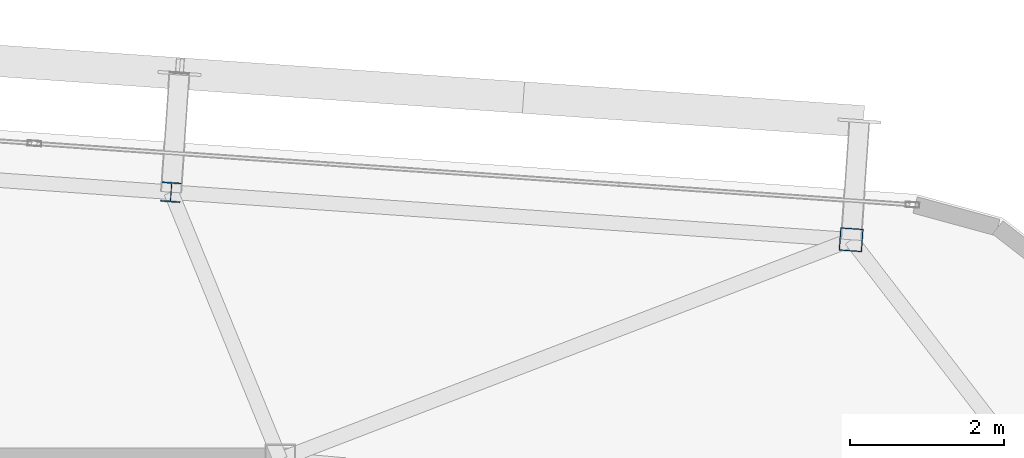
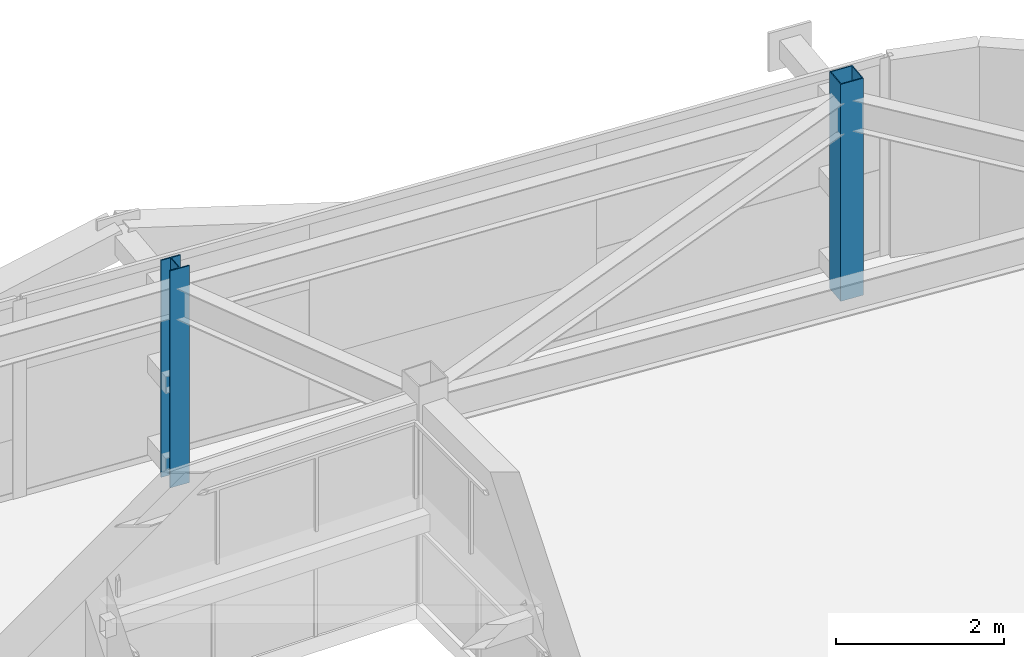
# One storey, part 5 of 39: 2 columns.
"""IFC4 building model written with IfcOpenShell, lengths in metres."""

import ifcopenshell
import ifcopenshell.guid

model = None  # the IFC model being written
_history = None  # IfcOwnerHistory: only IFC2X3 demands one
_inside = {}  # id of a spatial element -> (the spatial element, [elements in it])
_under = {}  # id of a project, library or spatial element -> (it, [spatial elements below it])
_declared = {}  # id of a project -> (the project, [libraries it declares])
_typed = {}  # id of a type object -> (the type object, [elements of that type])
_made_of = {}  # id of a material, layer set ... -> (it, [elements and type objects made of it])


def new_model(schema):
    """Start an empty IFC model of exactly this schema.

    Asked for "IFC4X3", IfcOpenShell would pick the latest addendum, in which some entities
    have other attributes; the version numbers below select the first issue.
    IFC2X3 requires an IfcOwnerHistory on every rooted entity: one is made here for all.
    """
    global model, _history
    if schema == "IFC4X3":
        model = ifcopenshell.file(schema_version=(4, 3, 0, 0))
    else:
        model = ifcopenshell.file(schema=schema)
    _inside.clear()
    _under.clear()
    _declared.clear()
    _typed.clear()
    _made_of.clear()
    _history = None
    if model.schema == "IFC2X3":
        org = make("IfcOrganization", Name="unknown")
        user = make(
            "IfcPersonAndOrganization",
            ThePerson=make("IfcPerson", FamilyName="unknown"),
            TheOrganization=org,
        )
        app = make(
            "IfcApplication",
            ApplicationDeveloper=org,
            Version="unknown",
            ApplicationFullName="unknown",
            ApplicationIdentifier="unknown",
        )
        _history = make(
            "IfcOwnerHistory",
            OwningUser=user,
            OwningApplication=app,
            ChangeAction="ADDED",
            CreationDate=0,
        )
    return model


def make(cls, **values):
    """One entity of the class cls with the attributes given. An attribute that is None is left unset."""
    return model.create_entity(
        cls, **{name: value for name, value in values.items() if value is not None}
    )


def rooted(cls, **values):
    """An entity with a GlobalId (a new one), such as an element, a storey or a relation."""
    return make(cls, GlobalId=ifcopenshell.guid.new(), OwnerHistory=_history, **values)


def si_unit(unit_type, name, prefix=None):
    """IfcSIUnit, for example si_unit("LENGTHUNIT", "METRE", prefix="MILLI")."""
    return make("IfcSIUnit", UnitType=unit_type, Prefix=prefix, Name=name)


def assignment(units):
    """IfcUnitAssignment: the units of a project."""
    return None if units is None else make("IfcUnitAssignment", Units=units)


def point(xyz):
    """IfcCartesianPoint."""
    return None if xyz is None else make("IfcCartesianPoint", Coordinates=xyz)


def direction(xyz):
    """IfcDirection."""
    return None if xyz is None else make("IfcDirection", DirectionRatios=xyz)


def frame(location, z_axis=None, x_axis=None):
    """IfcAxis2Placement3D, a coordinate frame: its origin and axes. An axis left out is left unset."""
    return make(
        "IfcAxis2Placement3D",
        Location=point(location),
        Axis=direction(z_axis),
        RefDirection=direction(x_axis),
    )


def frame_2d(location, x_axis=None):
    """IfcAxis2Placement2D, a coordinate frame in the plane: its origin and x axis."""
    return make(
        "IfcAxis2Placement2D", Location=point(location), RefDirection=direction(x_axis)
    )


def origin():
    """The frame at (0, 0, 0) with its axes left unset."""
    return frame((0.0, 0.0, 0.0))


def origin_2d():
    """The frame at (0, 0) in the plane with its x axis left unset."""
    return frame_2d((0.0, 0.0))


def place(relative_to, where):
    """IfcLocalPlacement: puts the frame where relative to a parent placement (None: the world)."""
    return make(
        "IfcLocalPlacement", PlacementRelTo=relative_to, RelativePlacement=where
    )


def context(
    kind, dimensions, precision=None, world=None, true_north=None, identifier=None
):
    """IfcGeometricRepresentationContext, for example the 3D "Model" context."""
    return make(
        "IfcGeometricRepresentationContext",
        ContextIdentifier=identifier,
        ContextType=kind,
        CoordinateSpaceDimension=dimensions,
        Precision=precision,
        WorldCoordinateSystem=world,
        TrueNorth=true_north,
    )


def subcontext(parent, identifier, kind, view, scale=None):
    """IfcGeometricRepresentationSubContext, for example "Body" below "Model"."""
    return make(
        "IfcGeometricRepresentationSubContext",
        ContextIdentifier=identifier,
        ContextType=kind,
        ParentContext=parent,
        TargetScale=scale,
        TargetView=view,
    )


def project(units=None, contexts=None):
    """IfcProject with its units and contexts."""
    return rooted(
        "IfcProject",
        Name="project",
        RepresentationContexts=contexts,
        UnitsInContext=assignment(units),
    )


def spatial(cls, under=None, at=None, **own):
    """A site, building, storey or space (cls), placed at a placement, below another one or the project."""
    s = rooted(cls, ObjectPlacement=at, **own)
    if under is not None:
        _under.setdefault(under.id(), (under, []))[1].append(s)
    return s


def profile(cls, at=None, kind="AREA", **sizes):
    """A parametric profile (cls). Its sizes go by their IFC names, for example OverallWidth=200.0."""
    return make(cls, ProfileType=kind, Position=at, **sizes)


def hollow_rectangle(**sizes):
    """IfcRectangleHollowProfileDef."""
    return profile("IfcRectangleHollowProfileDef", **sizes)


def i_section(**sizes):
    """IfcIShapeProfileDef."""
    return profile("IfcIShapeProfileDef", **sizes)


def extrude(swept, where, along, depth):
    """IfcExtrudedAreaSolid: the profile swept, set in the frame where, extruded along a direction by depth."""
    return make(
        "IfcExtrudedAreaSolid",
        SweptArea=swept,
        Position=where,
        ExtrudedDirection=direction(along),
        Depth=depth,
    )


def shape(context_of_items, identifier, shape_type, items):
    """IfcShapeRepresentation: the items that make up one representation, for example the "Body"."""
    return make(
        "IfcShapeRepresentation",
        ContextOfItems=context_of_items,
        RepresentationIdentifier=identifier,
        RepresentationType=shape_type,
        Items=items,
    )


def source(mapping_origin, context_of_items, identifier, shape_type, items):
    """IfcRepresentationMap: a shape defined once, which mapped items show again and again."""
    return make(
        "IfcRepresentationMap",
        MappingOrigin=mapping_origin,
        MappedRepresentation=shape(context_of_items, identifier, shape_type, items),
    )


def transform(
    local_origin,
    x_axis=None,
    y_axis=None,
    z_axis=None,
    scale=None,
    scale2=None,
    scale3=None,
    uniform=True,
):
    """IfcCartesianTransformationOperator3D, or its non-uniform kind. x_axis, y_axis, z_axis: its Axis1, 2, 3."""
    if uniform:
        return make(
            "IfcCartesianTransformationOperator3D",
            Axis1=direction(x_axis),
            Axis2=direction(y_axis),
            LocalOrigin=point(local_origin),
            Scale=scale,
            Axis3=direction(z_axis),
        )
    return make(
        "IfcCartesianTransformationOperator3DnonUniform",
        Axis1=direction(x_axis),
        Axis2=direction(y_axis),
        LocalOrigin=point(local_origin),
        Scale=scale,
        Axis3=direction(z_axis),
        Scale2=scale2,
        Scale3=scale3,
    )


def mapped(mapping_source, mapping_target):
    """IfcMappedItem: shows the shape of a source again, moved by a transform."""
    return make(
        "IfcMappedItem", MappingSource=mapping_source, MappingTarget=mapping_target
    )


def material(Name=None, Category=None):
    """IfcMaterial."""
    return make("IfcMaterial", Name=Name, Category=Category)


def material_profile(
    of_material, cross_section, Name=None, Category=None, Priority=None
):
    """IfcMaterialProfile: a cross section and its material."""
    return make(
        "IfcMaterialProfile",
        Name=Name,
        Material=of_material,
        Profile=cross_section,
        Priority=Priority,
        Category=Category,
    )


def profile_set(profiles, Name=None, composite=None):
    """IfcMaterialProfileSet."""
    return make(
        "IfcMaterialProfileSet",
        Name=Name,
        MaterialProfiles=profiles,
        CompositeProfile=composite,
    )


def made_of(thing, what):
    """Note that an element or type object is made of a material, layer set ...; save() writes the relation."""
    if what is not None:
        _made_of.setdefault(what.id(), (what, []))[1].append(thing)
    return thing


def type_object(cls, material=None, **own):
    """A type object (cls), such as IfcWallType, which elements share."""
    return made_of(rooted(cls, **own), material)


def element(
    cls,
    number,
    at=None,
    inside=None,
    cuts=None,
    type_object=None,
    material=None,
    context=None,
    identifier="Body",
    shape_type=None,
    held_by="IfcProductDefinitionShape",
    body=None,
    shapes=None,
    **own,
):
    """One element of the class cls, such as IfcWall. Its Tag is "e" and its number.

    at: its placement. inside: the storey or other place that contains it. cuts: it is an
    opening in that element (IfcRelVoidsElement). A single representation is given by context,
    identifier, shape_type and body (its items); several are given by shapes. held_by: the class
    of the entity that holds the representations. save() writes the other relations.
    """
    e = rooted(cls, Tag="e%d" % number, ObjectPlacement=at, **own)
    if body is not None:
        shapes = [shape(context, identifier, shape_type, body)]
    if shapes is not None:
        e.Representation = make(held_by, Representations=shapes)
    if inside is not None:
        _inside.setdefault(inside.id(), (inside, []))[1].append(e)
    if cuts is not None:
        rooted(
            "IfcRelVoidsElement", RelatingBuildingElement=cuts, RelatedOpeningElement=e
        )
    if type_object is not None:
        _typed.setdefault(type_object.id(), (type_object, []))[1].append(e)
    return made_of(e, material)


def aggregate(whole, parts):
    """IfcRelAggregates: a whole, such as a stair, and the parts it consists of."""
    return rooted("IfcRelAggregates", RelatingObject=whole, RelatedObjects=parts)


def save(model, path):
    """Write the relations noted so far, then the file.

    IfcRelAggregates (storeys below a building ...), IfcRelContainedInSpatialStructure (elements
    in a storey), IfcRelDefinesByType, IfcRelAssociatesMaterial and IfcRelDeclares: one each for
    every whole, place, type object, material and project.
    """
    for whole, parts in _under.values():
        aggregate(whole, parts)
    for where, things in _inside.values():
        rooted(
            "IfcRelContainedInSpatialStructure",
            RelatedElements=things,
            RelatingStructure=where,
        )
    for kind, things in _typed.values():
        rooted("IfcRelDefinesByType", RelatedObjects=things, RelatingType=kind)
    for what, things in _made_of.values():
        rooted("IfcRelAssociatesMaterial", RelatedObjects=things, RelatingMaterial=what)
    for by, libraries in _declared.values():
        rooted("IfcRelDeclares", RelatingContext=by, RelatedDefinitions=libraries)
    model.write(path)


model = new_model("IFC4")

# Units and contexts
model_context = context("Model", 3, precision=1e-05, world=origin(), true_north=direction((0.0, 1.0)))
body_context = subcontext(model_context, "Body", "Model", "MODEL_VIEW")
ifc_project = project(units=[si_unit("LENGTHUNIT", "METRE"), si_unit("AREAUNIT", "SQUARE_METRE"), si_unit("VOLUMEUNIT", "CUBIC_METRE"), si_unit("PLANEANGLEUNIT", "RADIAN"), si_unit("MASSUNIT", "GRAM", prefix="KILO")], contexts=[model_context])

# Site, building, storey
site_placement = place(None, origin())
site = spatial("IfcSite", under=ifc_project, at=site_placement, CompositionType="ELEMENT")
building_placement = place(site_placement, origin())
building = spatial("IfcBuilding", under=site, at=building_placement, Name="Taldren Reach Tower", CompositionType="ELEMENT")
storey_placement = place(building_placement, frame((0.0, 0.0, 161.35009765625)))
storey = spatial("IfcBuildingStorey", under=building, at=storey_placement, Name="L49", CompositionType="ELEMENT", Elevation=161.35009765625)

# Columns
ifc_material_1 = material(Name="Steel Gr 450 (C450L0)", Category="steel")
ifc_material_profile_1 = material_profile(ifc_material_1, hollow_rectangle(XDim=0.300048828125, YDim=0.300048828125, WallThickness=0.012451171875, at=origin_2d()), Name="300x300x12.5SHS")
ifc_profile_set_1 = profile_set([ifc_material_profile_1], Name="Steel Gr 450 (C450L0)")
column_type_1 = type_object("IfcColumnType", Name="COL-SHS300", PredefinedType="COLUMN", material=ifc_profile_set_1)
shared_shape_1 = source(origin(), body_context, "Body", "SweptSolid", [
    extrude(hollow_rectangle(XDim=0.300048828125, YDim=0.300048828125, WallThickness=0.012451171875, at=origin_2d()), origin(), (0.0, 0.0, 1.0), 3.14990234375),
])
column_1_placement = place(storey_placement, frame((58.4365234375, 34.861572265625, 0.0), z_axis=(0.0, 0.0, 1.0), x_axis=(0.99756405026, -0.069756473744, 0.0)))
element("IfcColumn", 1, at=column_1_placement, inside=storey, type_object=column_type_1, Name="Block B3 perimeter column N6 L49", PredefinedType="COLUMN", context=body_context, shape_type="MappedRepresentation", body=[
    mapped(shared_shape_1, transform((0.0, 0.0, 0.0), scale=1.0)),
])
ifc_material_2 = material(Name="Steel Gr 350 (350PLUS)", Category="steel")
ifc_material_profile_2 = material_profile(ifc_material_2, i_section(OverallWidth=0.256103515625, OverallDepth=0.260009765625, WebThickness=0.010498046875, FlangeThickness=0.017333984375, at=origin_2d()), Name="250UC89.5")
ifc_profile_set_2 = profile_set([ifc_material_profile_2], Name="Steel Gr 350 (350PLUS)")
column_type_2 = type_object("IfcColumnType", Name="COL-UC250", PredefinedType="COLUMN", material=ifc_profile_set_2)
shared_shape_2 = source(origin(), body_context, "Body", "SweptSolid", [
    extrude(i_section(OverallWidth=0.256103515625, OverallDepth=0.260009765625, WebThickness=0.010498046875, FlangeThickness=0.017333984375, at=origin_2d()), origin(), (0.0, 0.0, 1.0), 3.14990234375),
])
column_2_placement = place(storey_placement, frame((49.578125, 35.48095703125, 0.0), z_axis=(0.0, 0.0, 1.0), x_axis=(0.99756405026, -0.069756473744, 0.0)))
element("IfcColumn", 2, at=column_2_placement, inside=storey, type_object=column_type_2, Name="Block B3 perimeter column N5 L49", PredefinedType="COLUMN", context=body_context, shape_type="MappedRepresentation", body=[
    mapped(shared_shape_2, transform((0.0, 0.0, 0.0), scale=1.0)),
])

save(model, "model.ifc")
